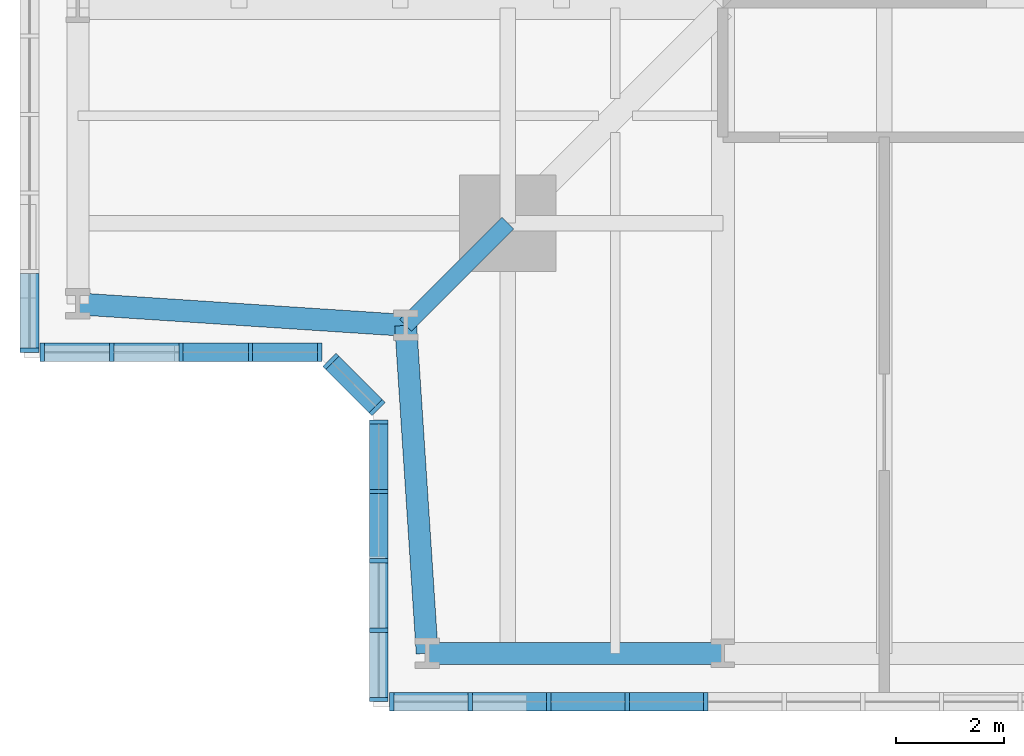
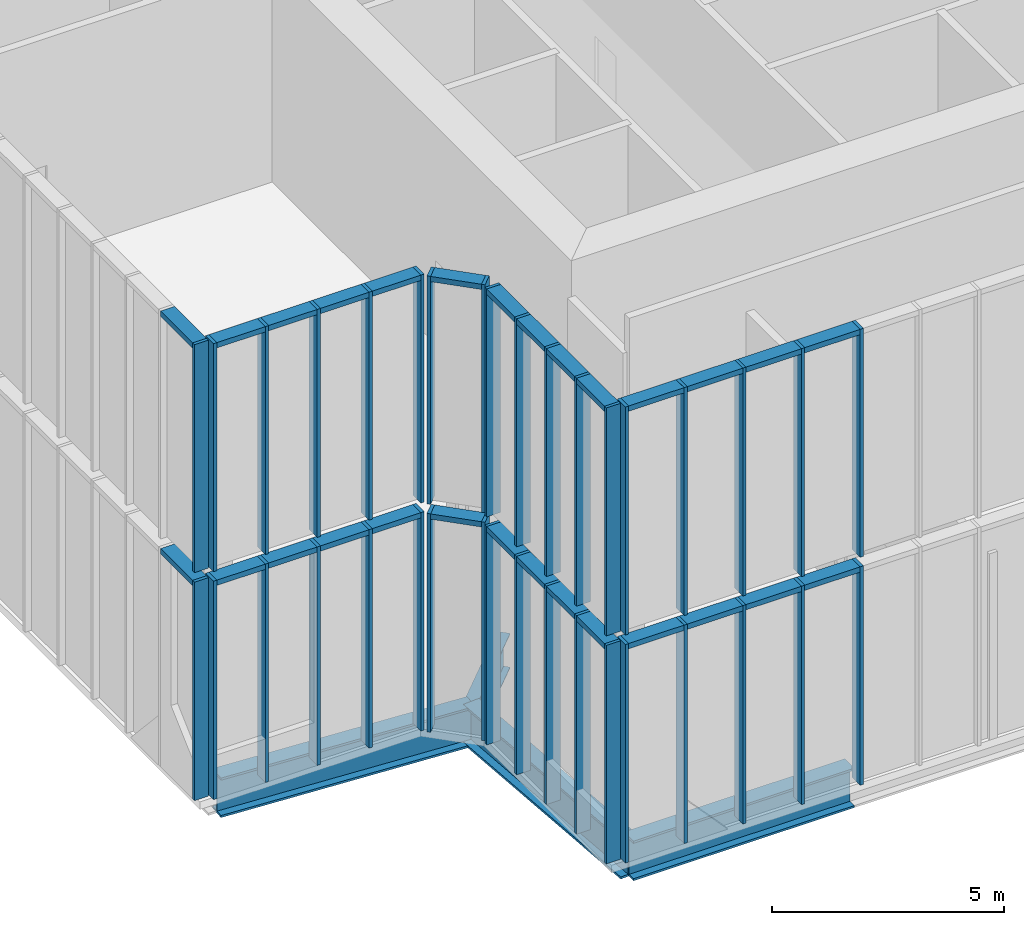
# One storey, part 2 of 25: 64 members, 4 beams, 10 elements without a shape of their own.
"""IFC4 building model written with IfcOpenShell, lengths in metres."""

from ifc_helpers import new_model, si_unit, direction, frame, origin, origin_2d, place, context, subcontext, project, spatial, rectangle, i_section, extrude, material, material_profile, profile_set, type_object, element, aggregate, save


model = new_model("IFC4")

# Units and contexts
model_context = context("Model", 3, precision=1e-05, world=origin(), true_north=direction((0.0, 1.0)))
body_context = subcontext(model_context, "Body", "Model", "MODEL_VIEW")
ifc_project = project(units=[si_unit("LENGTHUNIT", "METRE"), si_unit("AREAUNIT", "SQUARE_METRE"), si_unit("VOLUMEUNIT", "CUBIC_METRE"), si_unit("PLANEANGLEUNIT", "RADIAN"), si_unit("MASSUNIT", "GRAM", prefix="KILO")], contexts=[model_context])

# Site, building, storey
site_placement = place(None, origin())
site = spatial("IfcSite", under=ifc_project, at=site_placement, CompositionType="ELEMENT")
building_placement = place(site_placement, origin())
building = spatial("IfcBuilding", under=site, at=building_placement, Name="Fenwick Lantern Interchange", CompositionType="ELEMENT")
storey_placement = place(building_placement, frame((0.0, 0.0, 307.800048828125)))
storey = spatial("IfcBuildingStorey", under=building, at=storey_placement, Name="L74", CompositionType="ELEMENT", Elevation=307.800048828125)

# Beams
ifc_material_1 = material(Name="Steel ASTM A992 Grade 50", Category="steel")
ifc_material_profile_1 = material_profile(ifc_material_1, i_section(OverallWidth=0.408935546875, OverallDepth=1.04150390625, WebThickness=0.031005859375, FlangeThickness=0.055908203125, at=origin_2d()), Name="W40X397")
ifc_profile_set_1 = profile_set([ifc_material_profile_1], Name="Steel ASTM A992 Grade 50")
beam_type_1 = type_object("IfcBeamType", Name="EDGE BEAM W40X397", PredefinedType="SPANDREL", material=ifc_profile_set_1)
beam_1_placement = place(storey_placement, frame((7.5, 1.0, -0.720703125), z_axis=(1.0, 0.0, 0.0), x_axis=(0.0, 1.0, 0.0)))
element("IfcBeam", 1, at=beam_1_placement, inside=storey, type_object=beam_type_1, Name="L74/FR/S/EB1", PredefinedType="SPANDREL", context=body_context, shape_type="SweptSolid", body=[
    extrude(i_section(OverallWidth=0.408935546875, OverallDepth=1.04150390625, WebThickness=0.031005859375, FlangeThickness=0.055908203125, at=origin_2d()), origin(), (0.0, 0.0, 1.0), 5.5),
])
for number, where, z_axis, x_axis, name in (
    (2, (1.0, 7.5, -0.720703125), (0.997858060337, -0.065416293237, 0.0), (0.065416293237, 0.997858060337, 0.0), "L74/FR/W/EBR1"),
    (3, (7.10009765625, 7.10009765625, -0.720703125), (0.065416293237, -0.997858060337, 0.0), (0.997858060337, 0.065416293237, 0.0), "L74/FR/W/EBR2"),
):
    element("IfcBeam", number, at=place(storey_placement, frame(where, z_axis=z_axis, x_axis=x_axis)), inside=storey, type_object=beam_type_1, Name=name, PredefinedType="SPANDREL", context=body_context, shape_type="SweptSolid", body=[
        extrude(i_section(OverallWidth=0.408935546875, OverallDepth=1.04150390625, WebThickness=0.031005859375, FlangeThickness=0.055908203125, at=origin_2d()), origin(), (0.0, 0.0, 1.0), 6.11328125),
    ])

# Curtain wall, members
ifc_material_2 = material(Name="Aluminium curtain wall frame", Category="aluminium")
curtain_wall_type = type_object("IfcCurtainWallType", Name="LANTERN GLAZING", PredefinedType="USERDEFINED", material=ifc_material_2)
curtain_wall_1_placement = place(storey_placement, origin())
curtain_wall_1 = element("IfcCurtainWall", 4, at=curtain_wall_1_placement, inside=storey, type_object=curtain_wall_type, Name="Lantern glazing 01", ObjectType="LANTERN GLAZING", PredefinedType="USERDEFINED")
ifc_material_3 = material(Name="Aluminium extrusion", Category="aluminium")
ifc_material_profile_2 = material_profile(ifc_material_3, rectangle(XDim=0.35009765625, YDim=0.080078125, at=origin_2d()), Name="LANTERN GLAZING MULLION 80 X 350")
ifc_profile_set_2 = profile_set([ifc_material_profile_2], Name="Aluminium extrusion")
member_type_1 = type_object("IfcMemberType", Name="LANTERN GLAZING MULLION 80 X 350", PredefinedType="MULLION", material=ifc_profile_set_2)
member_1_placement = place(storey_placement, frame((6.840087890625, 0.10009765625, 0.0), z_axis=(0.0, 0.0, 1.0), x_axis=(0.0, 1.0, 0.0)))
member_1 = element("IfcMember", 5, at=member_1_placement, type_object=member_type_1, Name="L74/CW/01/M00", PredefinedType="MULLION", context=body_context, shape_type="SweptSolid", body=[
    extrude(rectangle(XDim=0.35009765625, YDim=0.080078125, at=origin_2d()), origin(), (0.0, 0.0, 1.0), 5.75),
])
member_2_placement = place(storey_placement, frame((8.30078125, 0.10009765625, 0.0), z_axis=(0.0, 0.0, 1.0), x_axis=(0.0, 1.0, 0.0)))
member_2 = element("IfcMember", 6, at=member_2_placement, type_object=member_type_1, Name="L74/CW/01/M01", PredefinedType="MULLION", context=body_context, shape_type="SweptSolid", body=[
    extrude(rectangle(XDim=0.35009765625, YDim=0.080078125, at=origin_2d()), origin(), (0.0, 0.0, 1.0), 5.75),
])
member_3_placement = place(storey_placement, frame((9.76171875, 0.10009765625, 0.0), z_axis=(0.0, 0.0, 1.0), x_axis=(0.0, 1.0, 0.0)))
member_3 = element("IfcMember", 7, at=member_3_placement, type_object=member_type_1, Name="L74/CW/01/M02", PredefinedType="MULLION", context=body_context, shape_type="SweptSolid", body=[
    extrude(rectangle(XDim=0.35009765625, YDim=0.080078125, at=origin_2d()), origin(), (0.0, 0.0, 1.0), 5.75),
])
member_4_placement = place(storey_placement, frame((11.222412109375, 0.10009765625, 0.0), z_axis=(0.0, 0.0, 1.0), x_axis=(0.0, 1.0, 0.0)))
member_4 = element("IfcMember", 8, at=member_4_placement, type_object=member_type_1, Name="L74/CW/01/M03", PredefinedType="MULLION", context=body_context, shape_type="SweptSolid", body=[
    extrude(rectangle(XDim=0.35009765625, YDim=0.080078125, at=origin_2d()), origin(), (0.0, 0.0, 1.0), 5.75),
])
member_5_placement = place(storey_placement, frame((12.68310546875, 0.10009765625, 0.0), z_axis=(0.0, 0.0, 1.0), x_axis=(0.0, 1.0, 0.0)))
member_5 = element("IfcMember", 9, at=member_5_placement, type_object=member_type_1, Name="L74/CW/01/M04", PredefinedType="MULLION", context=body_context, shape_type="SweptSolid", body=[
    extrude(rectangle(XDim=0.35009765625, YDim=0.080078125, at=origin_2d()), origin(), (0.0, 0.0, 1.0), 5.75),
])

# Curtain wall, member
curtain_wall_2_placement = place(storey_placement, origin())
curtain_wall_2 = element("IfcCurtainWall", 10, at=curtain_wall_2_placement, inside=storey, type_object=curtain_wall_type, Name="Lantern glazing 13", ObjectType="LANTERN GLAZING", PredefinedType="USERDEFINED")
member_6_placement = place(storey_placement, frame((0.10009765625, 6.639892578125, 0.0), z_axis=(0.0, 0.0, 1.0), x_axis=(1.0, 0.0, 0.0)))
member_6 = element("IfcMember", 11, at=member_6_placement, type_object=member_type_1, Name="L74/CW/13/M25", PredefinedType="MULLION", context=body_context, shape_type="SweptSolid", body=[
    extrude(rectangle(XDim=0.35009765625, YDim=0.080078125, at=origin_2d()), origin(), (0.0, 0.0, 1.0), 5.75),
])

# Curtain wall, members
curtain_wall_3_placement = place(storey_placement, origin())
curtain_wall_3 = element("IfcCurtainWall", 12, at=curtain_wall_3_placement, inside=storey, type_object=curtain_wall_type, Name="Lantern glazing 14", ObjectType="LANTERN GLAZING", PredefinedType="USERDEFINED")
member_7_placement = place(storey_placement, frame((0.340087890625, 6.60009765625, 0.0), z_axis=(0.0, 0.0, 1.0), x_axis=(0.0, 1.0, 0.0)))
member_7 = element("IfcMember", 13, at=member_7_placement, type_object=member_type_1, Name="L74/CW/14/M00", PredefinedType="MULLION", context=body_context, shape_type="SweptSolid", body=[
    extrude(rectangle(XDim=0.35009765625, YDim=0.080078125, at=origin_2d()), origin(), (0.0, 0.0, 1.0), 5.75),
])
member_8_placement = place(storey_placement, frame((1.63037109375, 6.60009765625, 0.0), z_axis=(0.0, 0.0, 1.0), x_axis=(0.0, 1.0, 0.0)))
member_8 = element("IfcMember", 14, at=member_8_placement, type_object=member_type_1, Name="L74/CW/14/M01", PredefinedType="MULLION", context=body_context, shape_type="SweptSolid", body=[
    extrude(rectangle(XDim=0.35009765625, YDim=0.080078125, at=origin_2d()), origin(), (0.0, 0.0, 1.0), 5.75),
])
member_9_placement = place(storey_placement, frame((2.920654296875, 6.60009765625, 0.0), z_axis=(0.0, 0.0, 1.0), x_axis=(0.0, 1.0, 0.0)))
member_9 = element("IfcMember", 15, at=member_9_placement, type_object=member_type_1, Name="L74/CW/14/M02", PredefinedType="MULLION", context=body_context, shape_type="SweptSolid", body=[
    extrude(rectangle(XDim=0.35009765625, YDim=0.080078125, at=origin_2d()), origin(), (0.0, 0.0, 1.0), 5.75),
])
member_10_placement = place(storey_placement, frame((4.211181640625, 6.60009765625, 0.0), z_axis=(0.0, 0.0, 1.0), x_axis=(0.0, 1.0, 0.0)))
member_10 = element("IfcMember", 16, at=member_10_placement, type_object=member_type_1, Name="L74/CW/14/M03", PredefinedType="MULLION", context=body_context, shape_type="SweptSolid", body=[
    extrude(rectangle(XDim=0.35009765625, YDim=0.080078125, at=origin_2d()), origin(), (0.0, 0.0, 1.0), 5.75),
])
member_11_placement = place(storey_placement, frame((5.50146484375, 6.60009765625, 0.0), z_axis=(0.0, 0.0, 1.0), x_axis=(0.0, 1.0, 0.0)))
member_11 = element("IfcMember", 17, at=member_11_placement, type_object=member_type_1, Name="L74/CW/14/M04", PredefinedType="MULLION", context=body_context, shape_type="SweptSolid", body=[
    extrude(rectangle(XDim=0.35009765625, YDim=0.080078125, at=origin_2d()), origin(), (0.0, 0.0, 1.0), 5.75),
])

curtain_wall_4_placement = place(storey_placement, origin())
curtain_wall_4 = element("IfcCurtainWall", 18, at=curtain_wall_4_placement, inside=storey, type_object=curtain_wall_type, Name="Lantern glazing 15", ObjectType="LANTERN GLAZING", PredefinedType="USERDEFINED")
member_12_placement = place(storey_placement, frame((5.711181640625, 6.43017578125, 0.0), z_axis=(0.0, 0.0, 1.0), x_axis=(0.707106781187, 0.707106781187, 0.0)))
member_12 = element("IfcMember", 19, at=member_12_placement, type_object=member_type_1, Name="L74/CW/15/M00", PredefinedType="MULLION", context=body_context, shape_type="SweptSolid", body=[
    extrude(rectangle(XDim=0.35009765625, YDim=0.080078125, at=origin_2d()), origin(), (0.0, 0.0, 1.0), 5.75),
])
member_13_placement = place(storey_placement, frame((6.57177734375, 5.56982421875, 0.0), z_axis=(0.0, 0.0, 1.0), x_axis=(0.707106781187, 0.707106781187, 0.0)))
member_13 = element("IfcMember", 20, at=member_13_placement, type_object=member_type_1, Name="L74/CW/15/M01", PredefinedType="MULLION", context=body_context, shape_type="SweptSolid", body=[
    extrude(rectangle(XDim=0.35009765625, YDim=0.080078125, at=origin_2d()), origin(), (0.0, 0.0, 1.0), 5.75),
])

curtain_wall_5_placement = place(storey_placement, origin())
curtain_wall_5 = element("IfcCurtainWall", 21, at=curtain_wall_5_placement, inside=storey, type_object=curtain_wall_type, Name="Lantern glazing 16", ObjectType="LANTERN GLAZING", PredefinedType="USERDEFINED")
member_14_placement = place(storey_placement, frame((6.60009765625, 5.301513671875, 0.0), z_axis=(0.0, 0.0, 1.0), x_axis=(1.0, 0.0, 0.0)))
member_14 = element("IfcMember", 22, at=member_14_placement, type_object=member_type_1, Name="L74/CW/16/M00", PredefinedType="MULLION", context=body_context, shape_type="SweptSolid", body=[
    extrude(rectangle(XDim=0.35009765625, YDim=0.080078125, at=origin_2d()), origin(), (0.0, 0.0, 1.0), 5.75),
])
member_15_placement = place(storey_placement, frame((6.60009765625, 4.010986328125, 0.0), z_axis=(0.0, 0.0, 1.0), x_axis=(1.0, 0.0, 0.0)))
member_15 = element("IfcMember", 23, at=member_15_placement, type_object=member_type_1, Name="L74/CW/16/M01", PredefinedType="MULLION", context=body_context, shape_type="SweptSolid", body=[
    extrude(rectangle(XDim=0.35009765625, YDim=0.080078125, at=origin_2d()), origin(), (0.0, 0.0, 1.0), 5.75),
])
member_16_placement = place(storey_placement, frame((6.60009765625, 2.720703125, 0.0), z_axis=(0.0, 0.0, 1.0), x_axis=(1.0, 0.0, 0.0)))
member_16 = element("IfcMember", 24, at=member_16_placement, type_object=member_type_1, Name="L74/CW/16/M02", PredefinedType="MULLION", context=body_context, shape_type="SweptSolid", body=[
    extrude(rectangle(XDim=0.35009765625, YDim=0.080078125, at=origin_2d()), origin(), (0.0, 0.0, 1.0), 5.75),
])
member_17_placement = place(storey_placement, frame((6.60009765625, 1.430419921875, 0.0), z_axis=(0.0, 0.0, 1.0), x_axis=(1.0, 0.0, 0.0)))
member_17 = element("IfcMember", 25, at=member_17_placement, type_object=member_type_1, Name="L74/CW/16/M03", PredefinedType="MULLION", context=body_context, shape_type="SweptSolid", body=[
    extrude(rectangle(XDim=0.35009765625, YDim=0.080078125, at=origin_2d()), origin(), (0.0, 0.0, 1.0), 5.75),
])
member_18_placement = place(storey_placement, frame((6.60009765625, 0.139892578125, 0.0), z_axis=(0.0, 0.0, 1.0), x_axis=(1.0, 0.0, 0.0)))
member_18 = element("IfcMember", 26, at=member_18_placement, type_object=member_type_1, Name="L74/CW/16/M04", PredefinedType="MULLION", context=body_context, shape_type="SweptSolid", body=[
    extrude(rectangle(XDim=0.35009765625, YDim=0.080078125, at=origin_2d()), origin(), (0.0, 0.0, 1.0), 5.75),
])

curtain_wall_6_placement = place(storey_placement, origin())
curtain_wall_6 = element("IfcCurtainWall", 27, at=curtain_wall_6_placement, inside=storey, type_object=curtain_wall_type, Name="Lantern glazing 01", ObjectType="LANTERN GLAZING", PredefinedType="USERDEFINED")
member_19_placement = place(storey_placement, frame((6.840087890625, 0.10009765625, 6.0), z_axis=(0.0, 0.0, 1.0), x_axis=(0.0, 1.0, 0.0)))
member_19 = element("IfcMember", 28, at=member_19_placement, type_object=member_type_1, Name="RF/LANTERN/01/M00", PredefinedType="MULLION", context=body_context, shape_type="SweptSolid", body=[
    extrude(rectangle(XDim=0.35009765625, YDim=0.080078125, at=origin_2d()), origin(), (0.0, 0.0, 1.0), 6.0),
])
member_20_placement = place(storey_placement, frame((8.30078125, 0.10009765625, 6.0), z_axis=(0.0, 0.0, 1.0), x_axis=(0.0, 1.0, 0.0)))
member_20 = element("IfcMember", 29, at=member_20_placement, type_object=member_type_1, Name="RF/LANTERN/01/M01", PredefinedType="MULLION", context=body_context, shape_type="SweptSolid", body=[
    extrude(rectangle(XDim=0.35009765625, YDim=0.080078125, at=origin_2d()), origin(), (0.0, 0.0, 1.0), 6.0),
])
member_21_placement = place(storey_placement, frame((9.76171875, 0.10009765625, 6.0), z_axis=(0.0, 0.0, 1.0), x_axis=(0.0, 1.0, 0.0)))
member_21 = element("IfcMember", 30, at=member_21_placement, type_object=member_type_1, Name="RF/LANTERN/01/M02", PredefinedType="MULLION", context=body_context, shape_type="SweptSolid", body=[
    extrude(rectangle(XDim=0.35009765625, YDim=0.080078125, at=origin_2d()), origin(), (0.0, 0.0, 1.0), 6.0),
])
member_22_placement = place(storey_placement, frame((11.222412109375, 0.10009765625, 6.0), z_axis=(0.0, 0.0, 1.0), x_axis=(0.0, 1.0, 0.0)))
member_22 = element("IfcMember", 31, at=member_22_placement, type_object=member_type_1, Name="RF/LANTERN/01/M03", PredefinedType="MULLION", context=body_context, shape_type="SweptSolid", body=[
    extrude(rectangle(XDim=0.35009765625, YDim=0.080078125, at=origin_2d()), origin(), (0.0, 0.0, 1.0), 6.0),
])
member_23_placement = place(storey_placement, frame((12.68310546875, 0.10009765625, 6.0), z_axis=(0.0, 0.0, 1.0), x_axis=(0.0, 1.0, 0.0)))
member_23 = element("IfcMember", 32, at=member_23_placement, type_object=member_type_1, Name="RF/LANTERN/01/M04", PredefinedType="MULLION", context=body_context, shape_type="SweptSolid", body=[
    extrude(rectangle(XDim=0.35009765625, YDim=0.080078125, at=origin_2d()), origin(), (0.0, 0.0, 1.0), 6.0),
])

# Curtain wall, member
curtain_wall_7_placement = place(storey_placement, origin())
curtain_wall_7 = element("IfcCurtainWall", 33, at=curtain_wall_7_placement, inside=storey, type_object=curtain_wall_type, Name="Lantern glazing 13", ObjectType="LANTERN GLAZING", PredefinedType="USERDEFINED")
member_24_placement = place(storey_placement, frame((0.10009765625, 6.639892578125, 6.0), z_axis=(0.0, 0.0, 1.0), x_axis=(1.0, 0.0, 0.0)))
member_24 = element("IfcMember", 34, at=member_24_placement, type_object=member_type_1, Name="RF/LANTERN/13/M25", PredefinedType="MULLION", context=body_context, shape_type="SweptSolid", body=[
    extrude(rectangle(XDim=0.35009765625, YDim=0.080078125, at=origin_2d()), origin(), (0.0, 0.0, 1.0), 6.0),
])

# Curtain wall, members
curtain_wall_8_placement = place(storey_placement, origin())
curtain_wall_8 = element("IfcCurtainWall", 35, at=curtain_wall_8_placement, inside=storey, type_object=curtain_wall_type, Name="Lantern glazing 14", ObjectType="LANTERN GLAZING", PredefinedType="USERDEFINED")
member_25_placement = place(storey_placement, frame((0.340087890625, 6.60009765625, 6.0), z_axis=(0.0, 0.0, 1.0), x_axis=(0.0, 1.0, 0.0)))
member_25 = element("IfcMember", 36, at=member_25_placement, type_object=member_type_1, Name="RF/LANTERN/14/M00", PredefinedType="MULLION", context=body_context, shape_type="SweptSolid", body=[
    extrude(rectangle(XDim=0.35009765625, YDim=0.080078125, at=origin_2d()), origin(), (0.0, 0.0, 1.0), 6.0),
])
member_26_placement = place(storey_placement, frame((1.63037109375, 6.60009765625, 6.0), z_axis=(0.0, 0.0, 1.0), x_axis=(0.0, 1.0, 0.0)))
member_26 = element("IfcMember", 37, at=member_26_placement, type_object=member_type_1, Name="RF/LANTERN/14/M01", PredefinedType="MULLION", context=body_context, shape_type="SweptSolid", body=[
    extrude(rectangle(XDim=0.35009765625, YDim=0.080078125, at=origin_2d()), origin(), (0.0, 0.0, 1.0), 6.0),
])
member_27_placement = place(storey_placement, frame((2.920654296875, 6.60009765625, 6.0), z_axis=(0.0, 0.0, 1.0), x_axis=(0.0, 1.0, 0.0)))
member_27 = element("IfcMember", 38, at=member_27_placement, type_object=member_type_1, Name="RF/LANTERN/14/M02", PredefinedType="MULLION", context=body_context, shape_type="SweptSolid", body=[
    extrude(rectangle(XDim=0.35009765625, YDim=0.080078125, at=origin_2d()), origin(), (0.0, 0.0, 1.0), 6.0),
])
member_28_placement = place(storey_placement, frame((4.211181640625, 6.60009765625, 6.0), z_axis=(0.0, 0.0, 1.0), x_axis=(0.0, 1.0, 0.0)))
member_28 = element("IfcMember", 39, at=member_28_placement, type_object=member_type_1, Name="RF/LANTERN/14/M03", PredefinedType="MULLION", context=body_context, shape_type="SweptSolid", body=[
    extrude(rectangle(XDim=0.35009765625, YDim=0.080078125, at=origin_2d()), origin(), (0.0, 0.0, 1.0), 6.0),
])
member_29_placement = place(storey_placement, frame((5.50146484375, 6.60009765625, 6.0), z_axis=(0.0, 0.0, 1.0), x_axis=(0.0, 1.0, 0.0)))
member_29 = element("IfcMember", 40, at=member_29_placement, type_object=member_type_1, Name="RF/LANTERN/14/M04", PredefinedType="MULLION", context=body_context, shape_type="SweptSolid", body=[
    extrude(rectangle(XDim=0.35009765625, YDim=0.080078125, at=origin_2d()), origin(), (0.0, 0.0, 1.0), 6.0),
])

curtain_wall_9_placement = place(storey_placement, origin())
curtain_wall_9 = element("IfcCurtainWall", 41, at=curtain_wall_9_placement, inside=storey, type_object=curtain_wall_type, Name="Lantern glazing 15", ObjectType="LANTERN GLAZING", PredefinedType="USERDEFINED")
member_30_placement = place(storey_placement, frame((5.711181640625, 6.43017578125, 6.0), z_axis=(0.0, 0.0, 1.0), x_axis=(0.707106781187, 0.707106781187, 0.0)))
member_30 = element("IfcMember", 42, at=member_30_placement, type_object=member_type_1, Name="RF/LANTERN/15/M00", PredefinedType="MULLION", context=body_context, shape_type="SweptSolid", body=[
    extrude(rectangle(XDim=0.35009765625, YDim=0.080078125, at=origin_2d()), origin(), (0.0, 0.0, 1.0), 6.0),
])
member_31_placement = place(storey_placement, frame((6.57177734375, 5.56982421875, 6.0), z_axis=(0.0, 0.0, 1.0), x_axis=(0.707106781187, 0.707106781187, 0.0)))
member_31 = element("IfcMember", 43, at=member_31_placement, type_object=member_type_1, Name="RF/LANTERN/15/M01", PredefinedType="MULLION", context=body_context, shape_type="SweptSolid", body=[
    extrude(rectangle(XDim=0.35009765625, YDim=0.080078125, at=origin_2d()), origin(), (0.0, 0.0, 1.0), 6.0),
])

curtain_wall_10_placement = place(storey_placement, origin())
curtain_wall_10 = element("IfcCurtainWall", 44, at=curtain_wall_10_placement, inside=storey, type_object=curtain_wall_type, Name="Lantern glazing 16", ObjectType="LANTERN GLAZING", PredefinedType="USERDEFINED")
member_32_placement = place(storey_placement, frame((6.60009765625, 5.301513671875, 6.0), z_axis=(0.0, 0.0, 1.0), x_axis=(1.0, 0.0, 0.0)))
member_32 = element("IfcMember", 45, at=member_32_placement, type_object=member_type_1, Name="RF/LANTERN/16/M00", PredefinedType="MULLION", context=body_context, shape_type="SweptSolid", body=[
    extrude(rectangle(XDim=0.35009765625, YDim=0.080078125, at=origin_2d()), origin(), (0.0, 0.0, 1.0), 6.0),
])
member_33_placement = place(storey_placement, frame((6.60009765625, 4.010986328125, 6.0), z_axis=(0.0, 0.0, 1.0), x_axis=(1.0, 0.0, 0.0)))
member_33 = element("IfcMember", 46, at=member_33_placement, type_object=member_type_1, Name="RF/LANTERN/16/M01", PredefinedType="MULLION", context=body_context, shape_type="SweptSolid", body=[
    extrude(rectangle(XDim=0.35009765625, YDim=0.080078125, at=origin_2d()), origin(), (0.0, 0.0, 1.0), 6.0),
])
member_34_placement = place(storey_placement, frame((6.60009765625, 2.720703125, 6.0), z_axis=(0.0, 0.0, 1.0), x_axis=(1.0, 0.0, 0.0)))
member_34 = element("IfcMember", 47, at=member_34_placement, type_object=member_type_1, Name="RF/LANTERN/16/M02", PredefinedType="MULLION", context=body_context, shape_type="SweptSolid", body=[
    extrude(rectangle(XDim=0.35009765625, YDim=0.080078125, at=origin_2d()), origin(), (0.0, 0.0, 1.0), 6.0),
])
member_35_placement = place(storey_placement, frame((6.60009765625, 1.430419921875, 6.0), z_axis=(0.0, 0.0, 1.0), x_axis=(1.0, 0.0, 0.0)))
member_35 = element("IfcMember", 48, at=member_35_placement, type_object=member_type_1, Name="RF/LANTERN/16/M03", PredefinedType="MULLION", context=body_context, shape_type="SweptSolid", body=[
    extrude(rectangle(XDim=0.35009765625, YDim=0.080078125, at=origin_2d()), origin(), (0.0, 0.0, 1.0), 6.0),
])
member_36_placement = place(storey_placement, frame((6.60009765625, 0.139892578125, 6.0), z_axis=(0.0, 0.0, 1.0), x_axis=(1.0, 0.0, 0.0)))
member_36 = element("IfcMember", 49, at=member_36_placement, type_object=member_type_1, Name="RF/LANTERN/16/M04", PredefinedType="MULLION", context=body_context, shape_type="SweptSolid", body=[
    extrude(rectangle(XDim=0.35009765625, YDim=0.080078125, at=origin_2d()), origin(), (0.0, 0.0, 1.0), 6.0),
])

# Member
ifc_material_profile_3 = material_profile(ifc_material_3, rectangle(XDim=0.35009765625, YDim=0.139892578125, at=origin_2d()), Name="LANTERN GLAZING TRANSOM 140 X 350")
ifc_profile_set_3 = profile_set([ifc_material_profile_3], Name="Aluminium extrusion")
member_type_2 = type_object("IfcMemberType", Name="LANTERN GLAZING TRANSOM 140 X 350", PredefinedType="MULLION", material=ifc_profile_set_3)
member_37_placement = place(storey_placement, frame((6.8798828125, 0.10009765625, 5.679931640625), z_axis=(1.0, 0.0, 0.0), x_axis=(0.0, 1.0, 0.0)))
member_37 = element("IfcMember", 50, at=member_37_placement, type_object=member_type_2, Name="L74/CW/01/T00", PredefinedType="MULLION", context=body_context, shape_type="SweptSolid", body=[
    extrude(rectangle(XDim=0.35009765625, YDim=0.139892578125, at=origin_2d()), origin(), (0.0, 0.0, 1.0), 1.380859375),
])

member_38_placement = place(storey_placement, frame((8.3408203125, 0.10009765625, 5.679931640625), z_axis=(1.0, 0.0, 0.0), x_axis=(0.0, 1.0, 0.0)))
member_38 = element("IfcMember", 51, at=member_38_placement, type_object=member_type_2, Name="L74/CW/01/T01", PredefinedType="MULLION", context=body_context, shape_type="SweptSolid", body=[
    extrude(rectangle(XDim=0.35009765625, YDim=0.139892578125, at=origin_2d()), origin(), (0.0, 0.0, 1.0), 1.380859375),
])

member_39_placement = place(storey_placement, frame((9.801513671875, 0.10009765625, 5.679931640625), z_axis=(1.0, 0.0, 0.0), x_axis=(0.0, 1.0, 0.0)))
member_39 = element("IfcMember", 52, at=member_39_placement, type_object=member_type_2, Name="L74/CW/01/T02", PredefinedType="MULLION", context=body_context, shape_type="SweptSolid", body=[
    extrude(rectangle(XDim=0.35009765625, YDim=0.139892578125, at=origin_2d()), origin(), (0.0, 0.0, 1.0), 1.380859375),
])

member_40_placement = place(storey_placement, frame((11.262451171875, 0.10009765625, 5.679931640625), z_axis=(1.0, 0.0, 0.0), x_axis=(0.0, 1.0, 0.0)))
member_40 = element("IfcMember", 53, at=member_40_placement, type_object=member_type_2, Name="L74/CW/01/T03", PredefinedType="MULLION", context=body_context, shape_type="SweptSolid", body=[
    extrude(rectangle(XDim=0.35009765625, YDim=0.139892578125, at=origin_2d()), origin(), (0.0, 0.0, 1.0), 1.380859375),
])

aggregate(curtain_wall_1, [member_1, member_2, member_3, member_4, member_5, member_37, member_38, member_39, member_40])

member_41_placement = place(storey_placement, frame((0.10009765625, 8.060791015625, 5.679931640625), z_axis=(0.0, -1.0, 0.0), x_axis=(1.0, 0.0, 0.0)))
member_41 = element("IfcMember", 54, at=member_41_placement, type_object=member_type_2, Name="L74/CW/13/T24", PredefinedType="MULLION", context=body_context, shape_type="SweptSolid", body=[
    extrude(rectangle(XDim=0.35009765625, YDim=0.139892578125, at=origin_2d()), origin(), (0.0, 0.0, 1.0), 1.380859375),
])

aggregate(curtain_wall_2, [member_6, member_41])

member_42_placement = place(storey_placement, frame((0.3798828125, 6.60009765625, 5.679931640625), z_axis=(1.0, 0.0, 0.0), x_axis=(0.0, 1.0, 0.0)))
member_42 = element("IfcMember", 55, at=member_42_placement, type_object=member_type_2, Name="L74/CW/14/T00", PredefinedType="MULLION", context=body_context, shape_type="SweptSolid", body=[
    extrude(rectangle(XDim=0.35009765625, YDim=0.139892578125, at=origin_2d()), origin(), (0.0, 0.0, 1.0), 1.21044921875),
])

member_43_placement = place(storey_placement, frame((1.67041015625, 6.60009765625, 5.679931640625), z_axis=(1.0, 0.0, 0.0), x_axis=(0.0, 1.0, 0.0)))
member_43 = element("IfcMember", 56, at=member_43_placement, type_object=member_type_2, Name="L74/CW/14/T01", PredefinedType="MULLION", context=body_context, shape_type="SweptSolid", body=[
    extrude(rectangle(XDim=0.35009765625, YDim=0.139892578125, at=origin_2d()), origin(), (0.0, 0.0, 1.0), 1.210205078125),
])

member_44_placement = place(storey_placement, frame((2.960693359375, 6.60009765625, 5.679931640625), z_axis=(1.0, 0.0, 0.0), x_axis=(0.0, 1.0, 0.0)))
member_44 = element("IfcMember", 57, at=member_44_placement, type_object=member_type_2, Name="L74/CW/14/T02", PredefinedType="MULLION", context=body_context, shape_type="SweptSolid", body=[
    extrude(rectangle(XDim=0.35009765625, YDim=0.139892578125, at=origin_2d()), origin(), (0.0, 0.0, 1.0), 1.21044921875),
])

member_45_placement = place(storey_placement, frame((4.2509765625, 6.60009765625, 5.679931640625), z_axis=(1.0, 0.0, 0.0), x_axis=(0.0, 1.0, 0.0)))
member_45 = element("IfcMember", 58, at=member_45_placement, type_object=member_type_2, Name="L74/CW/14/T03", PredefinedType="MULLION", context=body_context, shape_type="SweptSolid", body=[
    extrude(rectangle(XDim=0.35009765625, YDim=0.139892578125, at=origin_2d()), origin(), (0.0, 0.0, 1.0), 1.21044921875),
])

aggregate(curtain_wall_3, [member_7, member_8, member_9, member_10, member_11, member_42, member_43, member_44, member_45])

member_46_placement = place(storey_placement, frame((5.739501953125, 6.402099609375, 5.679931640625), z_axis=(0.706999424203, -0.707214121873, 0.0), x_axis=(0.707214121873, 0.706999424203, 0.0)))
member_46 = element("IfcMember", 59, at=member_46_placement, type_object=member_type_2, Name="L74/CW/15/T00", PredefinedType="MULLION", context=body_context, shape_type="SweptSolid", body=[
    extrude(rectangle(XDim=0.35009765625, YDim=0.139892578125, at=origin_2d()), origin(), (0.0, 0.0, 1.0), 1.13720703125),
])

aggregate(curtain_wall_4, [member_12, member_13, member_46])

member_47_placement = place(storey_placement, frame((6.60009765625, 5.261474609375, 5.679931640625), z_axis=(0.0, -1.0, 0.0), x_axis=(1.0, 0.0, 0.0)))
member_47 = element("IfcMember", 60, at=member_47_placement, type_object=member_type_2, Name="L74/CW/16/T00", PredefinedType="MULLION", context=body_context, shape_type="SweptSolid", body=[
    extrude(rectangle(XDim=0.35009765625, YDim=0.139892578125, at=origin_2d()), origin(), (0.0, 0.0, 1.0), 1.21044921875),
])

member_48_placement = place(storey_placement, frame((6.60009765625, 3.970947265625, 5.679931640625), z_axis=(0.0, -1.0, 0.0), x_axis=(1.0, 0.0, 0.0)))
member_48 = element("IfcMember", 61, at=member_48_placement, type_object=member_type_2, Name="L74/CW/16/T01", PredefinedType="MULLION", context=body_context, shape_type="SweptSolid", body=[
    extrude(rectangle(XDim=0.35009765625, YDim=0.139892578125, at=origin_2d()), origin(), (0.0, 0.0, 1.0), 1.210205078125),
])

member_49_placement = place(storey_placement, frame((6.60009765625, 2.6806640625, 5.679931640625), z_axis=(0.0, -1.0, 0.0), x_axis=(1.0, 0.0, 0.0)))
member_49 = element("IfcMember", 62, at=member_49_placement, type_object=member_type_2, Name="L74/CW/16/T02", PredefinedType="MULLION", context=body_context, shape_type="SweptSolid", body=[
    extrude(rectangle(XDim=0.35009765625, YDim=0.139892578125, at=origin_2d()), origin(), (0.0, 0.0, 1.0), 1.210205078125),
])

member_50_placement = place(storey_placement, frame((6.60009765625, 1.390380859375, 5.679931640625), z_axis=(0.0, -1.0, 0.0), x_axis=(1.0, 0.0, 0.0)))
member_50 = element("IfcMember", 63, at=member_50_placement, type_object=member_type_2, Name="L74/CW/16/T03", PredefinedType="MULLION", context=body_context, shape_type="SweptSolid", body=[
    extrude(rectangle(XDim=0.35009765625, YDim=0.139892578125, at=origin_2d()), origin(), (0.0, 0.0, 1.0), 1.21044921875),
])

aggregate(curtain_wall_5, [member_14, member_15, member_16, member_17, member_18, member_47, member_48, member_49, member_50])

member_51_placement = place(storey_placement, frame((6.8798828125, 0.10009765625, 11.929931640625), z_axis=(1.0, 0.0, 0.0), x_axis=(0.0, 1.0, 0.0)))
member_51 = element("IfcMember", 64, at=member_51_placement, type_object=member_type_2, Name="RF/LANTERN/01/T00", PredefinedType="MULLION", context=body_context, shape_type="SweptSolid", body=[
    extrude(rectangle(XDim=0.35009765625, YDim=0.139892578125, at=origin_2d()), origin(), (0.0, 0.0, 1.0), 1.380859375),
])

member_52_placement = place(storey_placement, frame((8.3408203125, 0.10009765625, 11.929931640625), z_axis=(1.0, 0.0, 0.0), x_axis=(0.0, 1.0, 0.0)))
member_52 = element("IfcMember", 65, at=member_52_placement, type_object=member_type_2, Name="RF/LANTERN/01/T01", PredefinedType="MULLION", context=body_context, shape_type="SweptSolid", body=[
    extrude(rectangle(XDim=0.35009765625, YDim=0.139892578125, at=origin_2d()), origin(), (0.0, 0.0, 1.0), 1.380859375),
])

member_53_placement = place(storey_placement, frame((9.801513671875, 0.10009765625, 11.929931640625), z_axis=(1.0, 0.0, 0.0), x_axis=(0.0, 1.0, 0.0)))
member_53 = element("IfcMember", 66, at=member_53_placement, type_object=member_type_2, Name="RF/LANTERN/01/T02", PredefinedType="MULLION", context=body_context, shape_type="SweptSolid", body=[
    extrude(rectangle(XDim=0.35009765625, YDim=0.139892578125, at=origin_2d()), origin(), (0.0, 0.0, 1.0), 1.380859375),
])

member_54_placement = place(storey_placement, frame((11.262451171875, 0.10009765625, 11.929931640625), z_axis=(1.0, 0.0, 0.0), x_axis=(0.0, 1.0, 0.0)))
member_54 = element("IfcMember", 67, at=member_54_placement, type_object=member_type_2, Name="RF/LANTERN/01/T03", PredefinedType="MULLION", context=body_context, shape_type="SweptSolid", body=[
    extrude(rectangle(XDim=0.35009765625, YDim=0.139892578125, at=origin_2d()), origin(), (0.0, 0.0, 1.0), 1.380859375),
])

aggregate(curtain_wall_6, [member_19, member_20, member_21, member_22, member_23, member_51, member_52, member_53, member_54])

member_55_placement = place(storey_placement, frame((0.10009765625, 8.060791015625, 11.929931640625), z_axis=(0.0, -1.0, 0.0), x_axis=(1.0, 0.0, 0.0)))
member_55 = element("IfcMember", 68, at=member_55_placement, type_object=member_type_2, Name="RF/LANTERN/13/T24", PredefinedType="MULLION", context=body_context, shape_type="SweptSolid", body=[
    extrude(rectangle(XDim=0.35009765625, YDim=0.139892578125, at=origin_2d()), origin(), (0.0, 0.0, 1.0), 1.380859375),
])

aggregate(curtain_wall_7, [member_24, member_55])

member_56_placement = place(storey_placement, frame((0.3798828125, 6.60009765625, 11.929931640625), z_axis=(1.0, 0.0, 0.0), x_axis=(0.0, 1.0, 0.0)))
member_56 = element("IfcMember", 69, at=member_56_placement, type_object=member_type_2, Name="RF/LANTERN/14/T00", PredefinedType="MULLION", context=body_context, shape_type="SweptSolid", body=[
    extrude(rectangle(XDim=0.35009765625, YDim=0.139892578125, at=origin_2d()), origin(), (0.0, 0.0, 1.0), 1.21044921875),
])

member_57_placement = place(storey_placement, frame((1.67041015625, 6.60009765625, 11.929931640625), z_axis=(1.0, 0.0, 0.0), x_axis=(0.0, 1.0, 0.0)))
member_57 = element("IfcMember", 70, at=member_57_placement, type_object=member_type_2, Name="RF/LANTERN/14/T01", PredefinedType="MULLION", context=body_context, shape_type="SweptSolid", body=[
    extrude(rectangle(XDim=0.35009765625, YDim=0.139892578125, at=origin_2d()), origin(), (0.0, 0.0, 1.0), 1.210205078125),
])

member_58_placement = place(storey_placement, frame((2.960693359375, 6.60009765625, 11.929931640625), z_axis=(1.0, 0.0, 0.0), x_axis=(0.0, 1.0, 0.0)))
member_58 = element("IfcMember", 71, at=member_58_placement, type_object=member_type_2, Name="RF/LANTERN/14/T02", PredefinedType="MULLION", context=body_context, shape_type="SweptSolid", body=[
    extrude(rectangle(XDim=0.35009765625, YDim=0.139892578125, at=origin_2d()), origin(), (0.0, 0.0, 1.0), 1.21044921875),
])

member_59_placement = place(storey_placement, frame((4.2509765625, 6.60009765625, 11.929931640625), z_axis=(1.0, 0.0, 0.0), x_axis=(0.0, 1.0, 0.0)))
member_59 = element("IfcMember", 72, at=member_59_placement, type_object=member_type_2, Name="RF/LANTERN/14/T03", PredefinedType="MULLION", context=body_context, shape_type="SweptSolid", body=[
    extrude(rectangle(XDim=0.35009765625, YDim=0.139892578125, at=origin_2d()), origin(), (0.0, 0.0, 1.0), 1.21044921875),
])

aggregate(curtain_wall_8, [member_25, member_26, member_27, member_28, member_29, member_56, member_57, member_58, member_59])

member_60_placement = place(storey_placement, frame((5.739501953125, 6.402099609375, 11.929931640625), z_axis=(0.706999424203, -0.707214121873, 0.0), x_axis=(0.707214121873, 0.706999424203, 0.0)))
member_60 = element("IfcMember", 73, at=member_60_placement, type_object=member_type_2, Name="RF/LANTERN/15/T00", PredefinedType="MULLION", context=body_context, shape_type="SweptSolid", body=[
    extrude(rectangle(XDim=0.35009765625, YDim=0.139892578125, at=origin_2d()), origin(), (0.0, 0.0, 1.0), 1.13720703125),
])

aggregate(curtain_wall_9, [member_30, member_31, member_60])

member_61_placement = place(storey_placement, frame((6.60009765625, 5.261474609375, 11.929931640625), z_axis=(0.0, -1.0, 0.0), x_axis=(1.0, 0.0, 0.0)))
member_61 = element("IfcMember", 74, at=member_61_placement, type_object=member_type_2, Name="RF/LANTERN/16/T00", PredefinedType="MULLION", context=body_context, shape_type="SweptSolid", body=[
    extrude(rectangle(XDim=0.35009765625, YDim=0.139892578125, at=origin_2d()), origin(), (0.0, 0.0, 1.0), 1.21044921875),
])

member_62_placement = place(storey_placement, frame((6.60009765625, 3.970947265625, 11.929931640625), z_axis=(0.0, -1.0, 0.0), x_axis=(1.0, 0.0, 0.0)))
member_62 = element("IfcMember", 75, at=member_62_placement, type_object=member_type_2, Name="RF/LANTERN/16/T01", PredefinedType="MULLION", context=body_context, shape_type="SweptSolid", body=[
    extrude(rectangle(XDim=0.35009765625, YDim=0.139892578125, at=origin_2d()), origin(), (0.0, 0.0, 1.0), 1.210205078125),
])

member_63_placement = place(storey_placement, frame((6.60009765625, 2.6806640625, 11.929931640625), z_axis=(0.0, -1.0, 0.0), x_axis=(1.0, 0.0, 0.0)))
member_63 = element("IfcMember", 76, at=member_63_placement, type_object=member_type_2, Name="RF/LANTERN/16/T02", PredefinedType="MULLION", context=body_context, shape_type="SweptSolid", body=[
    extrude(rectangle(XDim=0.35009765625, YDim=0.139892578125, at=origin_2d()), origin(), (0.0, 0.0, 1.0), 1.210205078125),
])

member_64_placement = place(storey_placement, frame((6.60009765625, 1.390380859375, 11.929931640625), z_axis=(0.0, -1.0, 0.0), x_axis=(1.0, 0.0, 0.0)))
member_64 = element("IfcMember", 77, at=member_64_placement, type_object=member_type_2, Name="RF/LANTERN/16/T03", PredefinedType="MULLION", context=body_context, shape_type="SweptSolid", body=[
    extrude(rectangle(XDim=0.35009765625, YDim=0.139892578125, at=origin_2d()), origin(), (0.0, 0.0, 1.0), 1.21044921875),
])

aggregate(curtain_wall_10, [member_32, member_33, member_34, member_35, member_36, member_61, member_62, member_63, member_64])

# Beam
ifc_material_profile_4 = material_profile(ifc_material_1, i_section(OverallWidth=0.3046875, OverallDepth=0.911865234375, WebThickness=0.015869140625, FlangeThickness=0.02392578125, at=origin_2d()), Name="W36X150")
ifc_profile_set_4 = profile_set([ifc_material_profile_4], Name="Steel ASTM A992 Grade 50")
beam_type_2 = type_object("IfcBeamType", Name="NOTCH BEAM W36X150", PredefinedType="BEAM", material=ifc_profile_set_4)
beam_2_placement = place(storey_placement, frame((9.0, 9.0, -0.656005859375), z_axis=(-0.707106781187, -0.707106781187, 0.0), x_axis=(0.707106781187, -0.707106781187, 0.0)))
element("IfcBeam", 78, at=beam_2_placement, inside=storey, type_object=beam_type_2, Name="L74/FR/S/TG", PredefinedType="BEAM", context=body_context, shape_type="SweptSolid", body=[
    extrude(i_section(OverallWidth=0.3046875, OverallDepth=0.911865234375, WebThickness=0.015869140625, FlangeThickness=0.02392578125, at=origin_2d()), origin(), (0.0, 0.0, 1.0), 2.686767578125),
])

save(model, "model.ifc")
